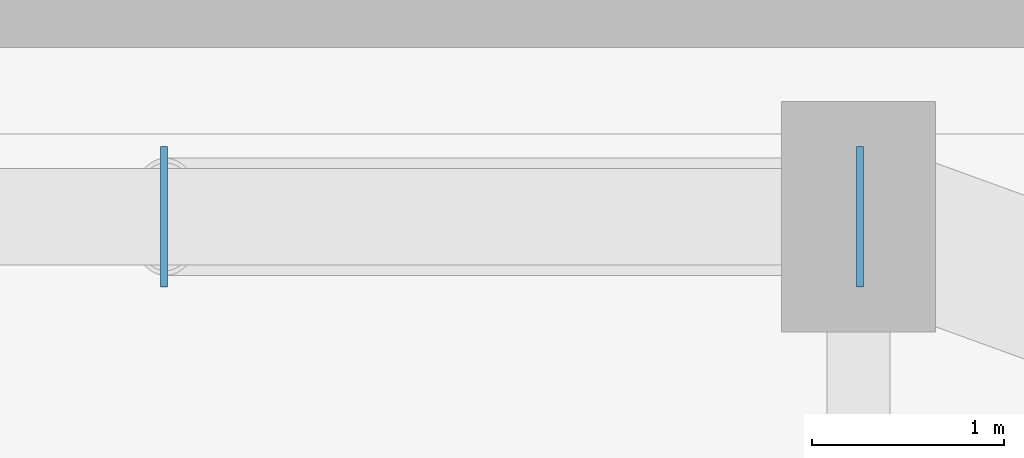
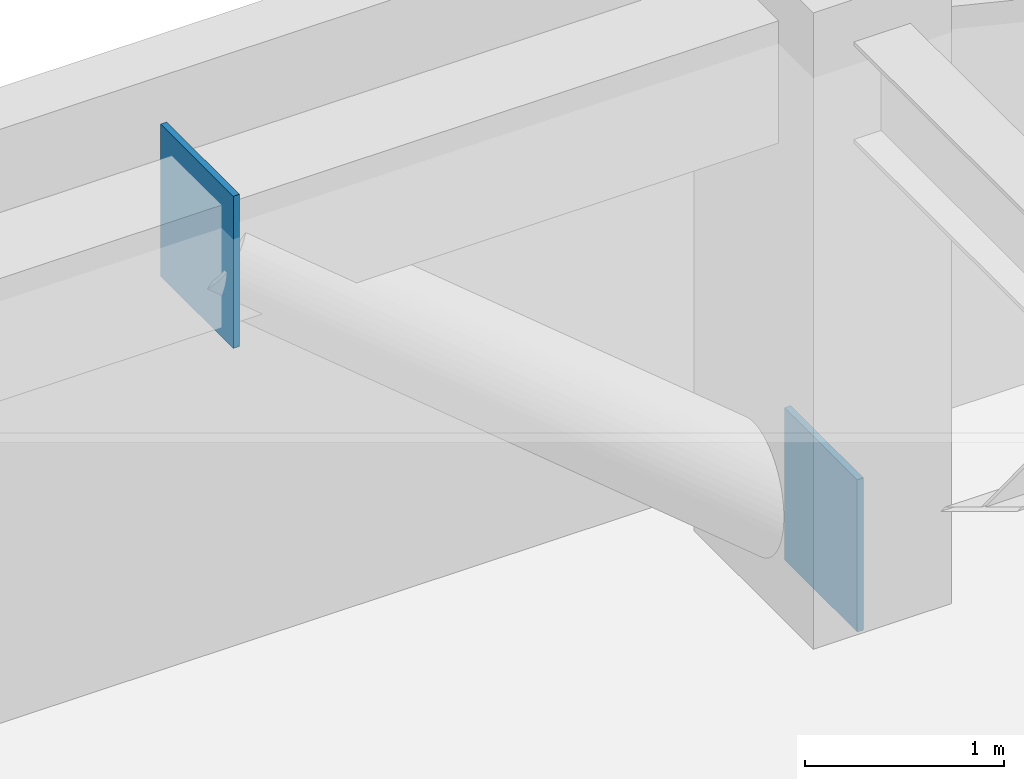
# One storey, part 17 of 24: 2 plates.
"""IFC4 building model written with IfcOpenShell, lengths in metres."""

from ifc_helpers import new_model, si_unit, direction, frame, origin, origin_2d, place, context, subcontext, project, spatial, rectangle, extrude, material, layer, layer_set, type_object, element, save


model = new_model("IFC4")

# Units and contexts
model_context = context("Model", 3, precision=1e-05, world=origin(), true_north=direction((0.0, 1.0)))
body_context = subcontext(model_context, "Body", "Model", "MODEL_VIEW")
ifc_project = project(units=[si_unit("LENGTHUNIT", "METRE"), si_unit("AREAUNIT", "SQUARE_METRE"), si_unit("VOLUMEUNIT", "CUBIC_METRE"), si_unit("PLANEANGLEUNIT", "RADIAN"), si_unit("MASSUNIT", "GRAM", prefix="KILO")], contexts=[model_context])

# Site, building, storey
site_placement = place(None, origin())
site = spatial("IfcSite", under=ifc_project, at=site_placement, CompositionType="ELEMENT")
building_placement = place(site_placement, origin())
building = spatial("IfcBuilding", under=site, at=building_placement, Name="Kiyonajd Concourse Tower", CompositionType="ELEMENT")
storey_placement = place(building_placement, frame((0.0, 0.0, 113.10009765625)))
storey = spatial("IfcBuildingStorey", under=building, at=storey_placement, Name="L29", CompositionType="ELEMENT", Elevation=113.10009765625)

# Plates
ifc_material = material(Name="Steel ASTM A572 Grade 50", Category="steel")
ifc_layer = layer(ifc_material, 0.028076171875)
ifc_layer_set = layer_set([ifc_layer], Name="Steel ASTM A572 Grade 50")
plate_type = type_object("IfcPlateType", Name="PL-CAP-450", PredefinedType="USERDEFINED", material=ifc_layer_set)
for number, where, z_axis, x_axis, name in (
    (1, (63.6083984375, 61.199951171875, -0.173583984375), (0.0, 0.0, 1.0), (1.0, 0.0, 0.0), "L29 Hollow Brace End Cap Plate PBN"),
    (2, (59.991455078125, 61.199951171875, 2.830322265625), (0.0, 0.0, 1.0), (-1.0, 0.0, 0.0), "L29 Hollow Brace Top Cap Plate PBN"),
):
    element("IfcPlate", number, at=place(storey_placement, frame(where, z_axis=z_axis, x_axis=x_axis)), inside=storey, type_object=plate_type, Name=name, ObjectType="CAP PLATE", PredefinedType="USERDEFINED", context=body_context, shape_type="SweptSolid", body=[
        extrude(rectangle(XDim=0.035888671875, YDim=0.72998046875, at=origin_2d()), origin(), (0.0, 0.0, 1.0), 0.93310546875),
    ])

save(model, "model.ifc")
